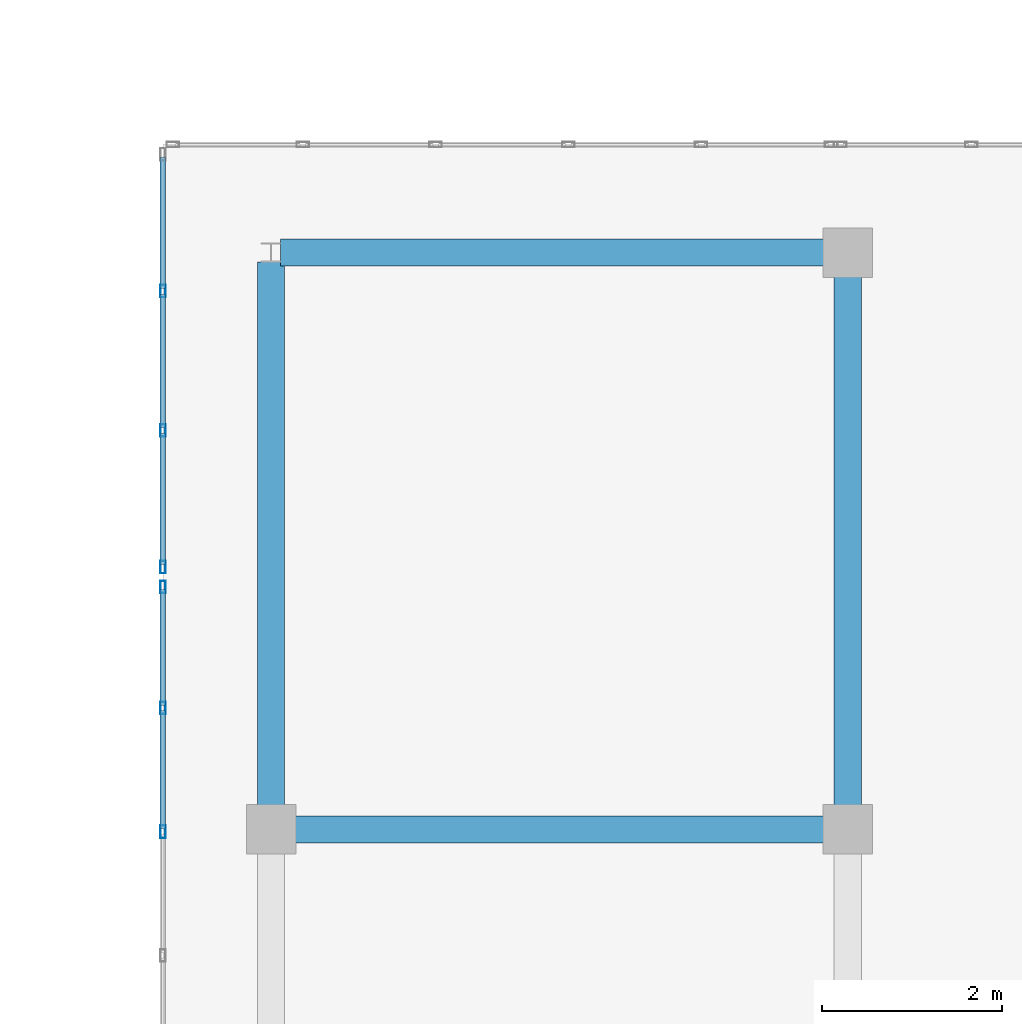
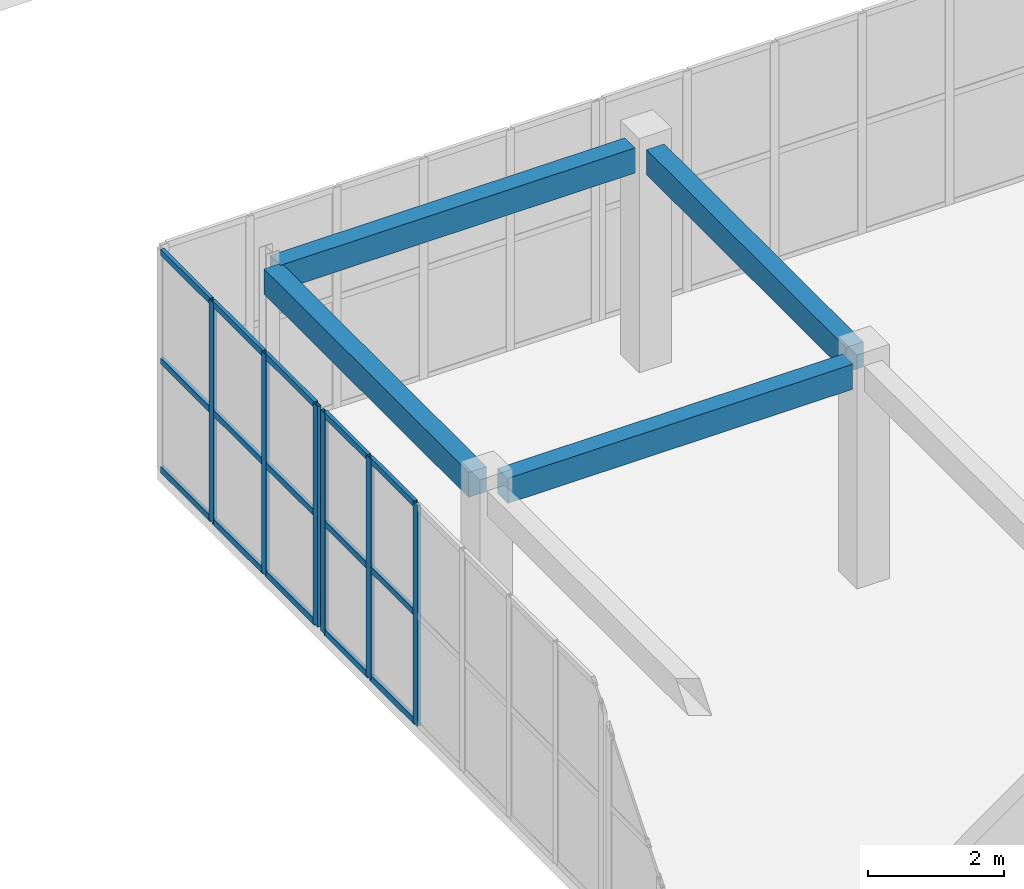
# One storey, part 52 of 140: 21 members, 4 beams, 2 elements without a shape of their own.
"""IFC4 building model written with IfcOpenShell, lengths in metres."""

from ifc_helpers import new_model, si_unit, direction, frame, origin, origin_2d, place, context, subcontext, project, spatial, rectangle, hollow_rectangle, extrude, material, layer, layer_set, material_profile, profile_set, type_object, element, aggregate, save


model = new_model("IFC4")

# Units and contexts
model_context = context("Model", 3, precision=1e-05, world=origin(), true_north=direction((0.0, 1.0)))
body_context = subcontext(model_context, "Body", "Model", "MODEL_VIEW")
ifc_project = project(units=[si_unit("LENGTHUNIT", "METRE"), si_unit("AREAUNIT", "SQUARE_METRE"), si_unit("VOLUMEUNIT", "CUBIC_METRE"), si_unit("PLANEANGLEUNIT", "RADIAN"), si_unit("MASSUNIT", "GRAM", prefix="KILO")], contexts=[model_context])

# Site, building, storey
site_placement = place(None, origin())
site = spatial("IfcSite", under=ifc_project, at=site_placement, CompositionType="ELEMENT")
building_placement = place(site_placement, origin())
building = spatial("IfcBuilding", under=site, at=building_placement, Name="Trelvath General Hospital", CompositionType="ELEMENT")
storey_placement = place(building_placement, frame((0.0, 0.0, 16.199951171875)))
storey = spatial("IfcBuildingStorey", under=building, at=storey_placement, Name="L04", CompositionType="ELEMENT", Elevation=16.199951171875)

# Beams
ifc_material_1 = material(Name="Concrete C35/45", Category="concrete")
ifc_material_profile_1 = material_profile(ifc_material_1, rectangle(XDim=0.300048828125, YDim=0.449951171875, at=origin_2d()), Name="RCB300x450")
ifc_profile_set_1 = profile_set([ifc_material_profile_1], Name="Concrete C35/45")
beam_type = type_object("IfcBeamType", Name="Beam RC300x450", PredefinedType="BEAM", material=ifc_profile_set_1)
beam_1_placement = place(storey_placement, frame((54.6708984375, 72.800048828125, 3.735107421875), z_axis=(1.0, 0.0, 0.0), x_axis=(0.0, 1.0, 0.0)))
element("IfcBeam", 1, at=beam_1_placement, inside=storey, type_object=beam_type, Name="Cube Interior Ring Beam CUBE-W-T1 L04", PredefinedType="BEAM", context=body_context, shape_type="SweptSolid", body=[
    extrude(rectangle(XDim=0.300048828125, YDim=0.449951171875, at=origin_2d()), origin(), (0.0, 0.0, 1.0), 5.858154296875),
])
for number, where, z_axis, x_axis, name in (
    (2, (54.506103515625, 79.199951171875, 3.735107421875), (1.0, 0.0, 0.0), (0.0, 1.0, 0.0), "Cube Interior Ring Beam CUBE-W-T1 L04"),
    (3, (54.39990234375, 73.071044921875, 3.735107421875), (0.0, 1.0, 0.0), (-1.0, 0.0, 0.0), "Cube Interior Ring Beam CUBE-W-T1 L04"),
):
    element("IfcBeam", number, at=place(storey_placement, frame(where, z_axis=z_axis, x_axis=x_axis)), inside=storey, type_object=beam_type, Name=name, PredefinedType="BEAM", context=body_context, shape_type="SweptSolid", body=[
        extrude(rectangle(XDim=0.300048828125, YDim=0.449951171875, at=origin_2d()), origin(), (0.0, 0.0, 1.0), 6.02294921875),
    ])
beam_2_placement = place(storey_placement, frame((60.800048828125, 73.071044921875, 3.735107421875), z_axis=(0.0, 1.0, 0.0), x_axis=(-1.0, 0.0, 0.0)))
element("IfcBeam", 4, at=beam_2_placement, inside=storey, type_object=beam_type, Name="Cube Interior Ring Beam CUBE-W-T1 L04", PredefinedType="BEAM", context=body_context, shape_type="SweptSolid", body=[
    extrude(rectangle(XDim=0.300048828125, YDim=0.449951171875, at=origin_2d()), origin(), (0.0, 0.0, 1.0), 5.85791015625),
])

# Curtain wall, members
ifc_material_2 = material(Name="Anodised aluminium and low-E glass", Category="aluminium")
ifc_layer_1 = layer(ifc_material_2, 0.139892578125)
ifc_layer_set_1 = layer_set([ifc_layer_1], Name="Anodised aluminium and low-E glass")
curtain_wall_type_1 = type_object("IfcCurtainWallType", Name="CW CrystalCube 824 396 14", PredefinedType="USERDEFINED", material=ifc_layer_set_1)
curtain_wall_1_placement = place(storey_placement, origin())
curtain_wall_1 = element("IfcCurtainWall", 5, at=curtain_wall_1_placement, inside=storey, type_object=curtain_wall_type_1, Name="Crystal Cube Curtain Wall CUBE-W-T1 W4 L04", ObjectType="Unitised Glazed Curtain Wall", PredefinedType="USERDEFINED")
ifc_material_3 = material(Name="Anodised aluminium", Category="aluminium")
ifc_material_profile_2 = material_profile(ifc_material_3, hollow_rectangle(XDim=0.06005859375, YDim=0.139892578125, WallThickness=0.00390625, at=origin_2d()), Name="RHS60x140x4")
ifc_profile_set_2 = profile_set([ifc_material_profile_2], Name="Anodised aluminium")
member_type_1 = type_object("IfcMemberType", Name="CurtainMullion 60x140", PredefinedType="MULLION", material=ifc_profile_set_2)
member_1_placement = place(storey_placement, frame((53.199951171875, 72.7734375, 0.0), z_axis=(0.0, 0.0, 1.0), x_axis=(-1.0, 0.0, 0.0)))
member_1 = element("IfcMember", 6, at=member_1_placement, type_object=member_type_1, Name="CW-278 mullion 5", PredefinedType="MULLION", context=body_context, shape_type="SweptSolid", body=[
    extrude(hollow_rectangle(XDim=0.06005859375, YDim=0.139892578125, WallThickness=0.00390625, at=origin_2d()), origin(), (0.0, 0.0, 1.0), 3.9599609375),
])
member_2_placement = place(storey_placement, frame((53.199951171875, 74.146728515625, 0.0), z_axis=(0.0, 0.0, 1.0), x_axis=(-1.0, 0.0, 0.0)))
member_2 = element("IfcMember", 7, at=member_2_placement, type_object=member_type_1, Name="CW-278 mullion 6", PredefinedType="MULLION", context=body_context, shape_type="SweptSolid", body=[
    extrude(hollow_rectangle(XDim=0.06005859375, YDim=0.139892578125, WallThickness=0.00390625, at=origin_2d()), origin(), (0.0, 0.0, 1.0), 3.9599609375),
])
member_3_placement = place(storey_placement, frame((53.199951171875, 75.489990234375, 0.0), z_axis=(0.0, 0.0, 1.0), x_axis=(-1.0, 0.0, 0.0)))
member_3 = element("IfcMember", 8, at=member_3_placement, type_object=member_type_1, Name="CW-278 mullion 7", PredefinedType="MULLION", context=body_context, shape_type="SweptSolid", body=[
    extrude(hollow_rectangle(XDim=0.06005859375, YDim=0.139892578125, WallThickness=0.00390625, at=origin_2d()), origin(), (0.0, 0.0, 1.0), 3.9599609375),
])

ifc_material_4 = material(Name="Anodised aluminium and low-E glass", Category="aluminium")
ifc_layer_2 = layer(ifc_material_4, 0.139892578125)
ifc_layer_set_2 = layer_set([ifc_layer_2], Name="Anodised aluminium and low-E glass")
curtain_wall_type_2 = type_object("IfcCurtainWallType", Name="CW CrystalCube 464 396 14", PredefinedType="USERDEFINED", material=ifc_layer_set_2)
curtain_wall_2_placement = place(storey_placement, origin())
curtain_wall_2 = element("IfcCurtainWall", 9, at=curtain_wall_2_placement, inside=storey, type_object=curtain_wall_type_2, Name="Crystal Cube Curtain Wall CUBE-W-T1 W5 L04", ObjectType="Unitised Glazed Curtain Wall", PredefinedType="USERDEFINED")
member_4_placement = place(storey_placement, frame((53.199951171875, 75.7099609375, 0.0), z_axis=(0.0, 0.0, 1.0), x_axis=(-1.0, 0.0, 0.0)))
member_4 = element("IfcMember", 10, at=member_4_placement, type_object=member_type_1, Name="CW-280 mullion 1", PredefinedType="MULLION", context=body_context, shape_type="SweptSolid", body=[
    extrude(hollow_rectangle(XDim=0.06005859375, YDim=0.139892578125, WallThickness=0.00390625, at=origin_2d()), origin(), (0.0, 0.0, 1.0), 3.9599609375),
])
member_5_placement = place(storey_placement, frame((53.199951171875, 77.2265625, 0.0), z_axis=(0.0, 0.0, 1.0), x_axis=(-1.0, 0.0, 0.0)))
member_5 = element("IfcMember", 11, at=member_5_placement, type_object=member_type_1, Name="CW-280 mullion 2", PredefinedType="MULLION", context=body_context, shape_type="SweptSolid", body=[
    extrude(hollow_rectangle(XDim=0.06005859375, YDim=0.139892578125, WallThickness=0.00390625, at=origin_2d()), origin(), (0.0, 0.0, 1.0), 3.9599609375),
])
member_6_placement = place(storey_placement, frame((53.199951171875, 78.7734375, 0.0), z_axis=(0.0, 0.0, 1.0), x_axis=(-1.0, 0.0, 0.0)))
member_6 = element("IfcMember", 12, at=member_6_placement, type_object=member_type_1, Name="CW-280 mullion 3", PredefinedType="MULLION", context=body_context, shape_type="SweptSolid", body=[
    extrude(hollow_rectangle(XDim=0.06005859375, YDim=0.139892578125, WallThickness=0.00390625, at=origin_2d()), origin(), (0.0, 0.0, 1.0), 3.9599609375),
])

# Member
ifc_material_5 = material(Name="Anodised aluminium", Category="aluminium")
ifc_material_profile_3 = material_profile(ifc_material_5, hollow_rectangle(XDim=0.06005859375, YDim=0.110107421875, WallThickness=0.00390625, at=origin_2d()), Name="RHS60x110x4")
ifc_profile_set_3 = profile_set([ifc_material_profile_3], Name="Anodised aluminium")
member_type_2 = type_object("IfcMemberType", Name="CurtainTransom 60x110", PredefinedType="USERDEFINED", material=ifc_profile_set_3)
member_7_placement = place(storey_placement, frame((53.199951171875, 72.80322265625, 0.030029296875), z_axis=(0.0, 1.0, 0.0), x_axis=(-1.0, 0.0, 0.0)))
member_7 = element("IfcMember", 13, at=member_7_placement, type_object=member_type_2, Name="CW-278 transom 5.1", ObjectType="TRANSOM", PredefinedType="USERDEFINED", context=body_context, shape_type="SweptSolid", body=[
    extrude(hollow_rectangle(XDim=0.06005859375, YDim=0.110107421875, WallThickness=0.00390625, at=origin_2d()), origin(), (0.0, 0.0, 1.0), 1.3134765625),
])

member_8_placement = place(storey_placement, frame((53.199951171875, 72.80322265625, 1.97998046875), z_axis=(0.0, 1.0, 0.0), x_axis=(-1.0, 0.0, 0.0)))
member_8 = element("IfcMember", 14, at=member_8_placement, type_object=member_type_2, Name="CW-278 transom 5.2", ObjectType="TRANSOM", PredefinedType="USERDEFINED", context=body_context, shape_type="SweptSolid", body=[
    extrude(hollow_rectangle(XDim=0.06005859375, YDim=0.110107421875, WallThickness=0.00390625, at=origin_2d()), origin(), (0.0, 0.0, 1.0), 1.3134765625),
])

member_9_placement = place(storey_placement, frame((53.199951171875, 72.80322265625, 3.929931640625), z_axis=(0.0, 1.0, 0.0), x_axis=(-1.0, 0.0, 0.0)))
member_9 = element("IfcMember", 15, at=member_9_placement, type_object=member_type_2, Name="CW-278 transom 5.3", ObjectType="TRANSOM", PredefinedType="USERDEFINED", context=body_context, shape_type="SweptSolid", body=[
    extrude(hollow_rectangle(XDim=0.06005859375, YDim=0.110107421875, WallThickness=0.00390625, at=origin_2d()), origin(), (0.0, 0.0, 1.0), 1.3134765625),
])

member_10_placement = place(storey_placement, frame((53.199951171875, 74.1767578125, 0.030029296875), z_axis=(0.0, 1.0, 0.0), x_axis=(-1.0, 0.0, 0.0)))
member_10 = element("IfcMember", 16, at=member_10_placement, type_object=member_type_2, Name="CW-278 transom 6.1", ObjectType="TRANSOM", PredefinedType="USERDEFINED", context=body_context, shape_type="SweptSolid", body=[
    extrude(hollow_rectangle(XDim=0.06005859375, YDim=0.110107421875, WallThickness=0.00390625, at=origin_2d()), origin(), (0.0, 0.0, 1.0), 1.283203125),
])

member_11_placement = place(storey_placement, frame((53.199951171875, 74.1767578125, 1.97998046875), z_axis=(0.0, 1.0, 0.0), x_axis=(-1.0, 0.0, 0.0)))
member_11 = element("IfcMember", 17, at=member_11_placement, type_object=member_type_2, Name="CW-278 transom 6.2", ObjectType="TRANSOM", PredefinedType="USERDEFINED", context=body_context, shape_type="SweptSolid", body=[
    extrude(hollow_rectangle(XDim=0.06005859375, YDim=0.110107421875, WallThickness=0.00390625, at=origin_2d()), origin(), (0.0, 0.0, 1.0), 1.283203125),
])

member_12_placement = place(storey_placement, frame((53.199951171875, 74.1767578125, 3.929931640625), z_axis=(0.0, 1.0, 0.0), x_axis=(-1.0, 0.0, 0.0)))
member_12 = element("IfcMember", 18, at=member_12_placement, type_object=member_type_2, Name="CW-278 transom 6.3", ObjectType="TRANSOM", PredefinedType="USERDEFINED", context=body_context, shape_type="SweptSolid", body=[
    extrude(hollow_rectangle(XDim=0.06005859375, YDim=0.110107421875, WallThickness=0.00390625, at=origin_2d()), origin(), (0.0, 0.0, 1.0), 1.283203125),
])

aggregate(curtain_wall_1, [member_1, member_2, member_3, member_7, member_8, member_9, member_10, member_11, member_12])

member_13_placement = place(storey_placement, frame((53.199951171875, 75.739990234375, 0.030029296875), z_axis=(0.0, 1.0, 0.0), x_axis=(-1.0, 0.0, 0.0)))
member_13 = element("IfcMember", 19, at=member_13_placement, type_object=member_type_2, Name="CW-280 transom 1.1", ObjectType="TRANSOM", PredefinedType="USERDEFINED", context=body_context, shape_type="SweptSolid", body=[
    extrude(hollow_rectangle(XDim=0.06005859375, YDim=0.110107421875, WallThickness=0.00390625, at=origin_2d()), origin(), (0.0, 0.0, 1.0), 1.456787109375),
])

member_14_placement = place(storey_placement, frame((53.199951171875, 75.739990234375, 1.97998046875), z_axis=(0.0, 1.0, 0.0), x_axis=(-1.0, 0.0, 0.0)))
member_14 = element("IfcMember", 20, at=member_14_placement, type_object=member_type_2, Name="CW-280 transom 1.2", ObjectType="TRANSOM", PredefinedType="USERDEFINED", context=body_context, shape_type="SweptSolid", body=[
    extrude(hollow_rectangle(XDim=0.06005859375, YDim=0.110107421875, WallThickness=0.00390625, at=origin_2d()), origin(), (0.0, 0.0, 1.0), 1.456787109375),
])

member_15_placement = place(storey_placement, frame((53.199951171875, 75.739990234375, 3.929931640625), z_axis=(0.0, 1.0, 0.0), x_axis=(-1.0, 0.0, 0.0)))
member_15 = element("IfcMember", 21, at=member_15_placement, type_object=member_type_2, Name="CW-280 transom 1.3", ObjectType="TRANSOM", PredefinedType="USERDEFINED", context=body_context, shape_type="SweptSolid", body=[
    extrude(hollow_rectangle(XDim=0.06005859375, YDim=0.110107421875, WallThickness=0.00390625, at=origin_2d()), origin(), (0.0, 0.0, 1.0), 1.456787109375),
])

member_16_placement = place(storey_placement, frame((53.199951171875, 77.256591796875, 0.030029296875), z_axis=(0.0, 1.0, 0.0), x_axis=(-1.0, 0.0, 0.0)))
member_16 = element("IfcMember", 22, at=member_16_placement, type_object=member_type_2, Name="CW-280 transom 2.1", ObjectType="TRANSOM", PredefinedType="USERDEFINED", context=body_context, shape_type="SweptSolid", body=[
    extrude(hollow_rectangle(XDim=0.06005859375, YDim=0.110107421875, WallThickness=0.00390625, at=origin_2d()), origin(), (0.0, 0.0, 1.0), 1.48681640625),
])

member_17_placement = place(storey_placement, frame((53.199951171875, 77.256591796875, 1.97998046875), z_axis=(0.0, 1.0, 0.0), x_axis=(-1.0, 0.0, 0.0)))
member_17 = element("IfcMember", 23, at=member_17_placement, type_object=member_type_2, Name="CW-280 transom 2.2", ObjectType="TRANSOM", PredefinedType="USERDEFINED", context=body_context, shape_type="SweptSolid", body=[
    extrude(hollow_rectangle(XDim=0.06005859375, YDim=0.110107421875, WallThickness=0.00390625, at=origin_2d()), origin(), (0.0, 0.0, 1.0), 1.48681640625),
])

member_18_placement = place(storey_placement, frame((53.199951171875, 77.256591796875, 3.929931640625), z_axis=(0.0, 1.0, 0.0), x_axis=(-1.0, 0.0, 0.0)))
member_18 = element("IfcMember", 24, at=member_18_placement, type_object=member_type_2, Name="CW-280 transom 2.3", ObjectType="TRANSOM", PredefinedType="USERDEFINED", context=body_context, shape_type="SweptSolid", body=[
    extrude(hollow_rectangle(XDim=0.06005859375, YDim=0.110107421875, WallThickness=0.00390625, at=origin_2d()), origin(), (0.0, 0.0, 1.0), 1.48681640625),
])

member_19_placement = place(storey_placement, frame((53.199951171875, 78.80322265625, 0.030029296875), z_axis=(0.0, 1.0, 0.0), x_axis=(-1.0, 0.0, 0.0)))
member_19 = element("IfcMember", 25, at=member_19_placement, type_object=member_type_2, Name="CW-280 transom 3.1", ObjectType="TRANSOM", PredefinedType="USERDEFINED", context=body_context, shape_type="SweptSolid", body=[
    extrude(hollow_rectangle(XDim=0.06005859375, YDim=0.110107421875, WallThickness=0.00390625, at=origin_2d()), origin(), (0.0, 0.0, 1.0), 1.456787109375),
])

member_20_placement = place(storey_placement, frame((53.199951171875, 78.80322265625, 1.97998046875), z_axis=(0.0, 1.0, 0.0), x_axis=(-1.0, 0.0, 0.0)))
member_20 = element("IfcMember", 26, at=member_20_placement, type_object=member_type_2, Name="CW-280 transom 3.2", ObjectType="TRANSOM", PredefinedType="USERDEFINED", context=body_context, shape_type="SweptSolid", body=[
    extrude(hollow_rectangle(XDim=0.06005859375, YDim=0.110107421875, WallThickness=0.00390625, at=origin_2d()), origin(), (0.0, 0.0, 1.0), 1.456787109375),
])

member_21_placement = place(storey_placement, frame((53.199951171875, 78.80322265625, 3.929931640625), z_axis=(0.0, 1.0, 0.0), x_axis=(-1.0, 0.0, 0.0)))
member_21 = element("IfcMember", 27, at=member_21_placement, type_object=member_type_2, Name="CW-280 transom 3.3", ObjectType="TRANSOM", PredefinedType="USERDEFINED", context=body_context, shape_type="SweptSolid", body=[
    extrude(hollow_rectangle(XDim=0.06005859375, YDim=0.110107421875, WallThickness=0.00390625, at=origin_2d()), origin(), (0.0, 0.0, 1.0), 1.456787109375),
])

aggregate(curtain_wall_2, [member_4, member_5, member_6, member_13, member_14, member_15, member_16, member_17, member_18, member_19, member_20, member_21])

save(model, "model.ifc")
